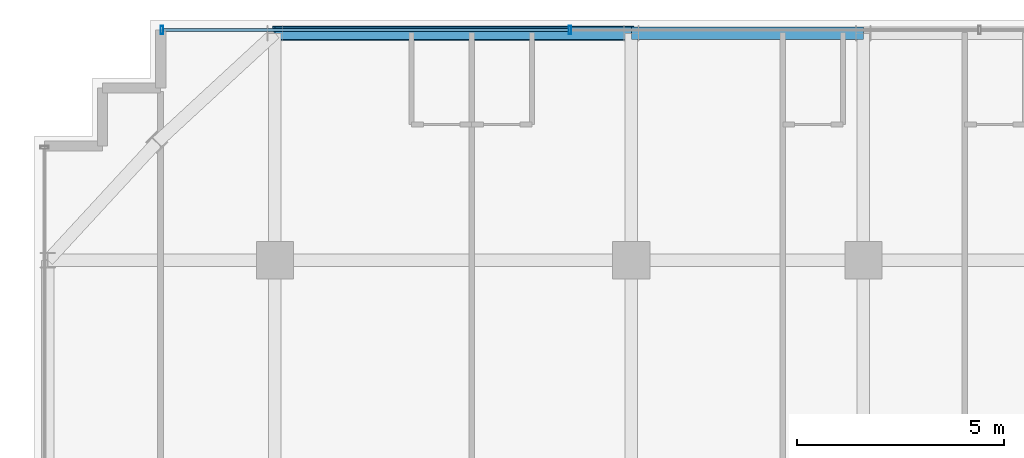
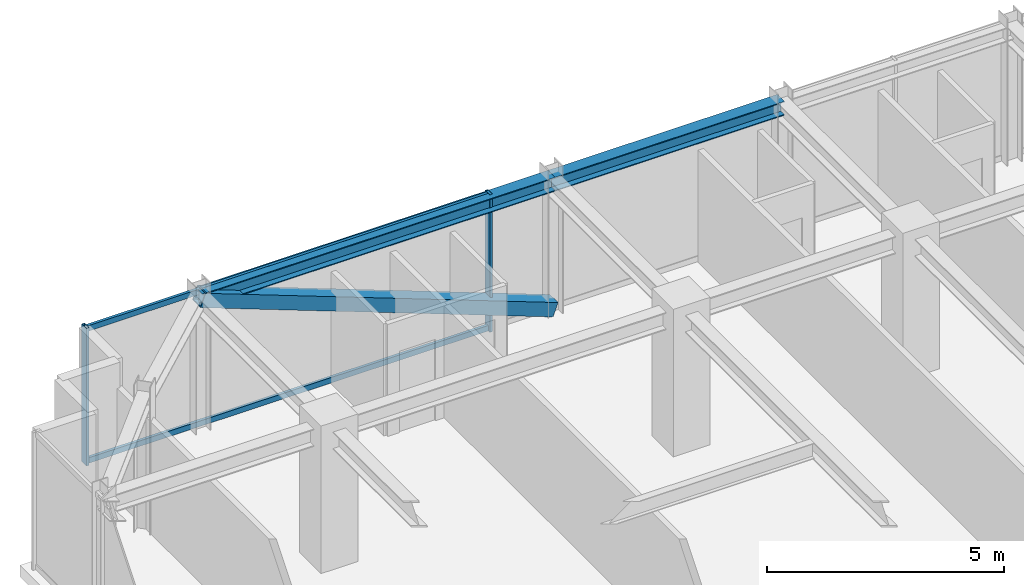
# One storey, part 24 of 37: 5 members, 2 beams, 1 element without a shape of its own.
"""IFC4 building model written with IfcOpenShell, lengths in metres."""

from ifc_helpers import new_model, si_unit, direction, frame, origin, origin_2d, place, context, subcontext, project, spatial, hollow_rectangle, i_section, extrude, source, transform, mapped, material, material_profile, profile_set, type_object, element, aggregate, save


model = new_model("IFC4")

# Units and contexts
model_context = context("Model", 3, precision=1e-05, world=origin(), true_north=direction((0.0, 1.0)))
body_context = subcontext(model_context, "Body", "Model", "MODEL_VIEW")
ifc_project = project(units=[si_unit("LENGTHUNIT", "METRE"), si_unit("AREAUNIT", "SQUARE_METRE"), si_unit("VOLUMEUNIT", "CUBIC_METRE"), si_unit("PLANEANGLEUNIT", "RADIAN"), si_unit("MASSUNIT", "GRAM", prefix="KILO")], contexts=[model_context])

# Site, building, storey
site_placement = place(None, origin())
site = spatial("IfcSite", under=ifc_project, at=site_placement, CompositionType="ELEMENT")
building_placement = place(site_placement, origin())
building = spatial("IfcBuilding", under=site, at=building_placement, Name="Nahalor Promenade Grand Hotel", CompositionType="ELEMENT")
storey_placement = place(building_placement, frame((0.0, 0.0, 308.050048828125)))
storey = spatial("IfcBuildingStorey", under=building, at=storey_placement, Name="L79", CompositionType="ELEMENT", Elevation=308.050048828125)

# Beams
ifc_material_1 = material(Name="Steel S355JR", Category="steel")
ifc_material_profile_1 = material_profile(ifc_material_1, i_section(OverallWidth=0.3, OverallDepth=0.36, WebThickness=0.0125, FlangeThickness=0.0225, at=origin_2d()), Name="HEB 360")
ifc_profile_set_1 = profile_set([ifc_material_profile_1], Name="Steel S355JR")
beam_type = type_object("IfcBeamType", Name="Beam-Spandrel-HEB360", PredefinedType="SPANDREL", material=ifc_profile_set_1)
shared_shape_1 = source(origin(), body_context, "Body", "SweptSolid", [
    extrude(i_section(OverallWidth=0.3, OverallDepth=0.36, WebThickness=0.0125, FlangeThickness=0.0225, at=origin_2d()), origin(), (0.0, 0.0, 1.0), 8.60009765625),
])
beam_1_placement = place(storey_placement, frame((-17.0, 22.47998046875, 3.369873046875), z_axis=(1.0, 0.0, 0.0), x_axis=(0.0, 1.0, 0.0)))
element("IfcBeam", 1, at=beam_1_placement, inside=storey, type_object=beam_type, Name="BM-L79-SP-N-0", PredefinedType="SPANDREL", context=body_context, shape_type="MappedRepresentation", body=[
    mapped(shared_shape_1, transform((0.0, 0.0, 0.0), scale=1.0)),
])
shared_shape_2 = source(origin(), body_context, "Body", "SweptSolid", [
    extrude(i_section(OverallWidth=0.3, OverallDepth=0.36, WebThickness=0.0125, FlangeThickness=0.0225, at=origin_2d()), origin(), (0.0, 0.0, 1.0), 5.599853515625),
])
beam_2_placement = place(storey_placement, frame((-8.39990234375, 22.47998046875, 3.369873046875), z_axis=(1.0, 0.0, 0.0), x_axis=(0.0, 1.0, 0.0)))
element("IfcBeam", 2, at=beam_2_placement, inside=storey, type_object=beam_type, Name="BM-L79-SP-N-1", PredefinedType="SPANDREL", context=body_context, shape_type="MappedRepresentation", body=[
    mapped(shared_shape_2, transform((0.0, 0.0, 0.0), scale=1.0)),
])

# Member
ifc_material_profile_2 = material_profile(ifc_material_1, hollow_rectangle(XDim=0.35, YDim=0.35, WallThickness=0.02, at=origin_2d()), Name="SHS 350x350x20")
ifc_profile_set_2 = profile_set([ifc_material_profile_2], Name="Steel S355JR")
member_type_1 = type_object("IfcMemberType", Name="Mem-VoidBrace-SHS350", PredefinedType="BRACE", material=ifc_profile_set_2)
shared_shape_3 = source(origin(), body_context, "Body", "SweptSolid", [
    extrude(hollow_rectangle(XDim=0.35, YDim=0.35, WallThickness=0.02, at=origin_2d()), origin(), (0.0, 0.0, 1.0), 9.193603515625),
])
member_1_placement = place(storey_placement, frame((-8.39990234375, 22.47998046875, 0.14990234375), z_axis=(-0.935433460247, 0.0, 0.353502816749), x_axis=(0.0, -1.0, 0.0)))
element("IfcMember", 3, at=member_1_placement, inside=storey, type_object=member_type_1, Name="EXO-L79-N-0", PredefinedType="BRACE", context=body_context, shape_type="MappedRepresentation", body=[
    mapped(shared_shape_3, transform((0.0, 0.0, 0.0), scale=1.0)),
])

# Curtain wall, members
ifc_material_2 = material(Name="Anodised Bronze Aluminium EN AW-6063 T6", Category="aluminium")
curtain_wall_type = type_object("IfcCurtainWallType", Name="CW3 Elliptical-Void Collar Unitised Curtain Wall", PredefinedType="USERDEFINED", material=ifc_material_2)
curtain_wall_placement = place(storey_placement, origin())
curtain_wall = element("IfcCurtainWall", 4, at=curtain_wall_placement, inside=storey, type_object=curtain_wall_type, Name="L79 Curtain Wall CW-L79-N-1", ObjectType="UNITISED_CURTAIN_WALL", PredefinedType="USERDEFINED")
ifc_material_profile_3 = material_profile(ifc_material_2, hollow_rectangle(XDim=0.07, YDim=0.14, WallThickness=0.004, at=origin_2d()), Name="CWT 70x140x4")
ifc_profile_set_3 = profile_set([ifc_material_profile_3], Name="Anodised Bronze Aluminium EN AW-6063 T6")
member_type_2 = type_object("IfcMemberType", Name="CWT3 Void Collar Transom 70x140", PredefinedType="USERDEFINED", material=ifc_profile_set_3)
shared_shape_4 = source(origin(), body_context, "Body", "SweptSolid", [
    extrude(hollow_rectangle(XDim=0.07, YDim=0.14, WallThickness=0.004, at=origin_2d()), origin(), (0.0, 0.0, 1.0), 9.77490234375),
])
member_2_placement = place(storey_placement, frame((-19.68994140625, 22.56005859375, 0.070068359375), z_axis=(1.0, 0.0, 0.0), x_axis=(0.0, 1.0, 0.0)))
member_2 = element("IfcMember", 5, at=member_2_placement, type_object=member_type_2, Name="CW-L79-N-1 Transom 0-0", ObjectType="TRANSOM", PredefinedType="USERDEFINED", context=body_context, shape_type="MappedRepresentation", body=[
    mapped(shared_shape_4, transform((0.0, 0.0, 0.0), scale=1.0)),
])
member_3_placement = place(storey_placement, frame((-19.68994140625, 22.56005859375, 3.47998046875), z_axis=(1.0, 0.0, 0.0), x_axis=(0.0, 1.0, 0.0)))
member_3 = element("IfcMember", 6, at=member_3_placement, type_object=member_type_2, Name="CW-L79-N-1 Transom 0-1", ObjectType="TRANSOM", PredefinedType="USERDEFINED", context=body_context, shape_type="MappedRepresentation", body=[
    mapped(shared_shape_4, transform((0.0, 0.0, 0.0), scale=1.0)),
])
ifc_material_profile_4 = material_profile(ifc_material_2, hollow_rectangle(XDim=0.07, YDim=0.2, WallThickness=0.005, at=origin_2d()), Name="CWM 70x200x5")
ifc_profile_set_4 = profile_set([ifc_material_profile_4], Name="Anodised Bronze Aluminium EN AW-6063 T6")
member_type_3 = type_object("IfcMemberType", Name="CWM3 Void Collar Mullion 70x200", PredefinedType="MULLION", material=ifc_profile_set_4)
shared_shape_5 = source(origin(), body_context, "Body", "SweptSolid", [
    extrude(hollow_rectangle(XDim=0.07, YDim=0.2, WallThickness=0.005, at=origin_2d()), origin(), (0.0, 0.0, 1.0), 3.550048828125),
])
member_4_placement = place(storey_placement, frame((-19.72509765625, 22.56005859375, 0.0), z_axis=(0.0, 0.0, 1.0), x_axis=(1.0, 0.0, 0.0)))
member_4 = element("IfcMember", 7, at=member_4_placement, type_object=member_type_3, Name="CW-L79-N-1 Mullion 0", PredefinedType="MULLION", context=body_context, shape_type="MappedRepresentation", body=[
    mapped(shared_shape_5, transform((0.0, 0.0, 0.0), scale=1.0)),
])
member_5_placement = place(storey_placement, frame((-9.8798828125, 22.56005859375, 0.0), z_axis=(0.0, 0.0, 1.0), x_axis=(1.0, 0.0, 0.0)))
member_5 = element("IfcMember", 8, at=member_5_placement, type_object=member_type_3, Name="CW-L79-N-1 Mullion 1", PredefinedType="MULLION", context=body_context, shape_type="MappedRepresentation", body=[
    mapped(shared_shape_5, transform((0.0, 0.0, 0.0), scale=1.0)),
])
aggregate(curtain_wall, [member_4, member_5, member_2, member_3])

save(model, "model.ifc")
